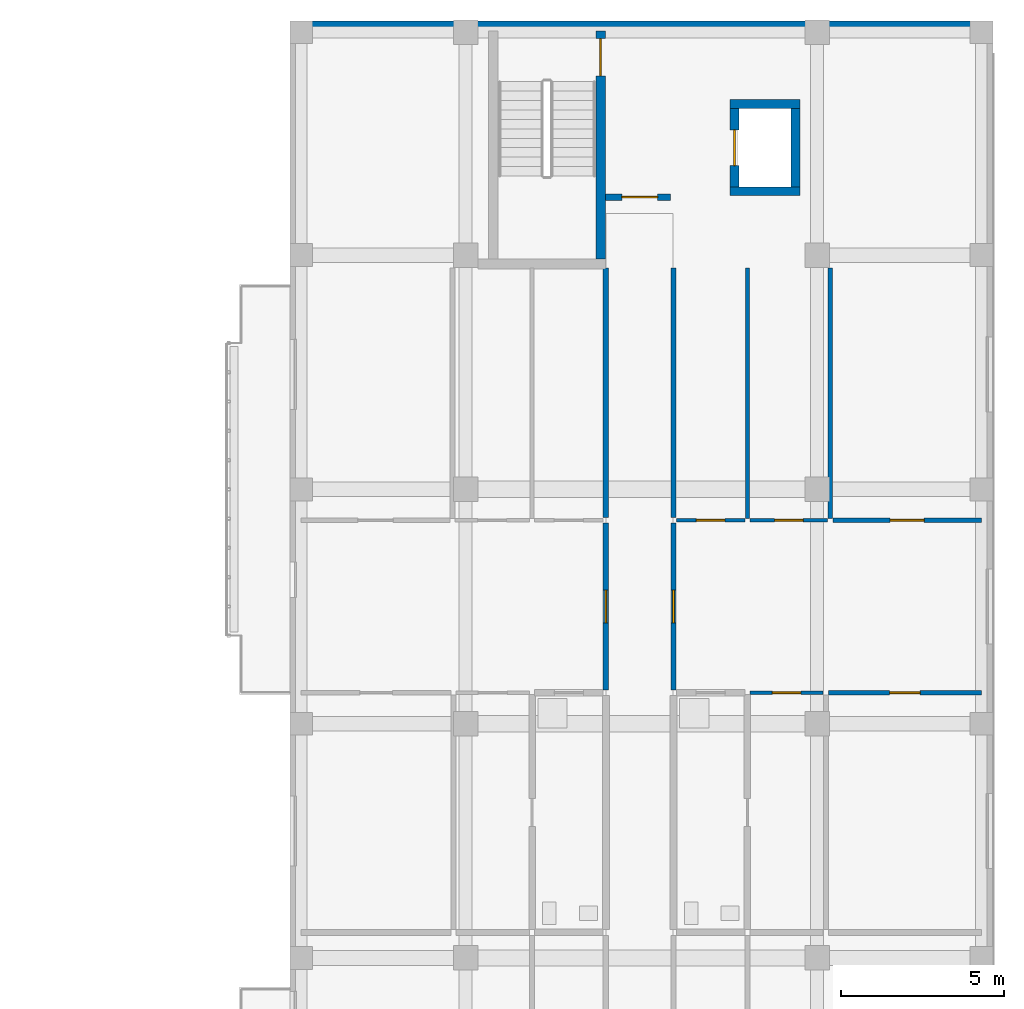
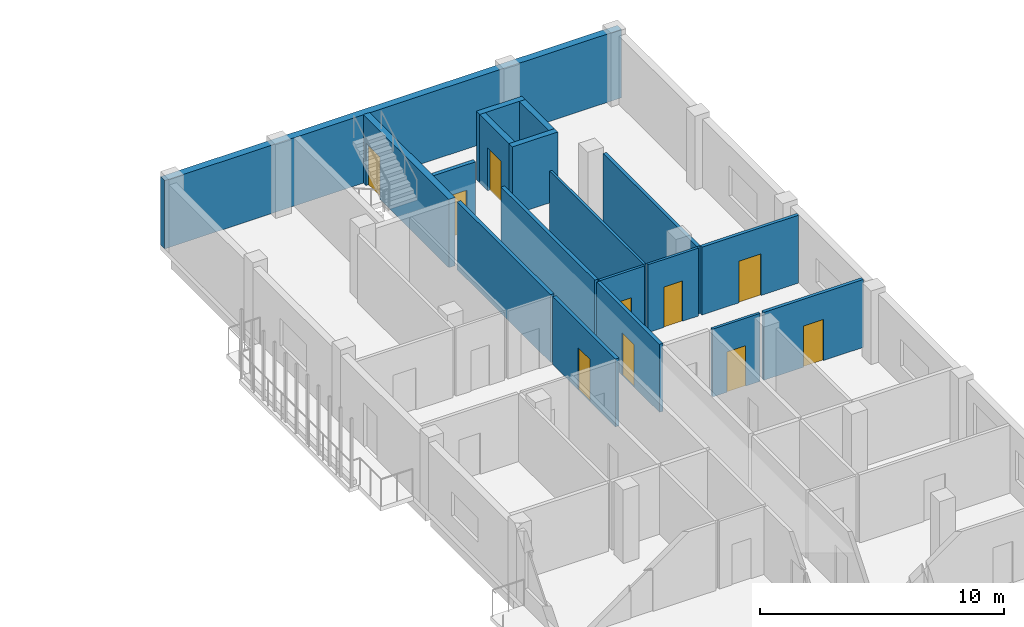
# One storey, part 52 of 73: 18 walls, 10 doors, 10 openings.
"""IFC4 building model written with IfcOpenShell, lengths in metres."""

import ifcopenshell
import ifcopenshell.guid

model = None  # the IFC model being written
_history = None  # IfcOwnerHistory: only IFC2X3 demands one
_inside = {}  # id of a spatial element -> (the spatial element, [elements in it])
_under = {}  # id of a project, library or spatial element -> (it, [spatial elements below it])
_declared = {}  # id of a project -> (the project, [libraries it declares])
_typed = {}  # id of a type object -> (the type object, [elements of that type])
_made_of = {}  # id of a material, layer set ... -> (it, [elements and type objects made of it])


def new_model(schema):
    """Start an empty IFC model of exactly this schema.

    Asked for "IFC4X3", IfcOpenShell would pick the latest addendum, in which some entities
    have other attributes; the version numbers below select the first issue.
    IFC2X3 requires an IfcOwnerHistory on every rooted entity: one is made here for all.
    """
    global model, _history
    if schema == "IFC4X3":
        model = ifcopenshell.file(schema_version=(4, 3, 0, 0))
    else:
        model = ifcopenshell.file(schema=schema)
    _inside.clear()
    _under.clear()
    _declared.clear()
    _typed.clear()
    _made_of.clear()
    _history = None
    if model.schema == "IFC2X3":
        org = make("IfcOrganization", Name="unknown")
        user = make(
            "IfcPersonAndOrganization",
            ThePerson=make("IfcPerson", FamilyName="unknown"),
            TheOrganization=org,
        )
        app = make(
            "IfcApplication",
            ApplicationDeveloper=org,
            Version="unknown",
            ApplicationFullName="unknown",
            ApplicationIdentifier="unknown",
        )
        _history = make(
            "IfcOwnerHistory",
            OwningUser=user,
            OwningApplication=app,
            ChangeAction="ADDED",
            CreationDate=0,
        )
    return model


def make(cls, **values):
    """One entity of the class cls with the attributes given. An attribute that is None is left unset."""
    return model.create_entity(
        cls, **{name: value for name, value in values.items() if value is not None}
    )


def rooted(cls, **values):
    """An entity with a GlobalId (a new one), such as an element, a storey or a relation."""
    return make(cls, GlobalId=ifcopenshell.guid.new(), OwnerHistory=_history, **values)


def si_unit(unit_type, name, prefix=None):
    """IfcSIUnit, for example si_unit("LENGTHUNIT", "METRE", prefix="MILLI")."""
    return make("IfcSIUnit", UnitType=unit_type, Prefix=prefix, Name=name)


def derived_unit(unit_type, elements):
    """IfcDerivedUnit: a product of units, each with its exponent."""
    return make(
        "IfcDerivedUnit",
        Elements=[
            make("IfcDerivedUnitElement", Unit=unit, Exponent=power)
            for unit, power in elements
        ],
        UnitType=unit_type,
    )


def assignment(units):
    """IfcUnitAssignment: the units of a project."""
    return None if units is None else make("IfcUnitAssignment", Units=units)


def point(xyz):
    """IfcCartesianPoint."""
    return None if xyz is None else make("IfcCartesianPoint", Coordinates=xyz)


def direction(xyz):
    """IfcDirection."""
    return None if xyz is None else make("IfcDirection", DirectionRatios=xyz)


def frame(location, z_axis=None, x_axis=None):
    """IfcAxis2Placement3D, a coordinate frame: its origin and axes. An axis left out is left unset."""
    return make(
        "IfcAxis2Placement3D",
        Location=point(location),
        Axis=direction(z_axis),
        RefDirection=direction(x_axis),
    )


def frame_2d(location, x_axis=None):
    """IfcAxis2Placement2D, a coordinate frame in the plane: its origin and x axis."""
    return make(
        "IfcAxis2Placement2D", Location=point(location), RefDirection=direction(x_axis)
    )


def origin():
    """The frame at (0, 0, 0) with its axes left unset."""
    return frame((0.0, 0.0, 0.0))


def place(relative_to, where):
    """IfcLocalPlacement: puts the frame where relative to a parent placement (None: the world)."""
    return make(
        "IfcLocalPlacement", PlacementRelTo=relative_to, RelativePlacement=where
    )


def context(
    kind, dimensions, precision=None, world=None, true_north=None, identifier=None
):
    """IfcGeometricRepresentationContext, for example the 3D "Model" context."""
    return make(
        "IfcGeometricRepresentationContext",
        ContextIdentifier=identifier,
        ContextType=kind,
        CoordinateSpaceDimension=dimensions,
        Precision=precision,
        WorldCoordinateSystem=world,
        TrueNorth=true_north,
    )


def subcontext(parent, identifier, kind, view, scale=None):
    """IfcGeometricRepresentationSubContext, for example "Body" below "Model"."""
    return make(
        "IfcGeometricRepresentationSubContext",
        ContextIdentifier=identifier,
        ContextType=kind,
        ParentContext=parent,
        TargetScale=scale,
        TargetView=view,
    )


def project(units=None, contexts=None):
    """IfcProject with its units and contexts."""
    return rooted(
        "IfcProject",
        Name="project",
        RepresentationContexts=contexts,
        UnitsInContext=assignment(units),
    )


def spatial(cls, under=None, at=None, **own):
    """A site, building, storey or space (cls), placed at a placement, below another one or the project."""
    s = rooted(cls, ObjectPlacement=at, **own)
    if under is not None:
        _under.setdefault(under.id(), (under, []))[1].append(s)
    return s


def profile(cls, at=None, kind="AREA", **sizes):
    """A parametric profile (cls). Its sizes go by their IFC names, for example OverallWidth=200.0."""
    return make(cls, ProfileType=kind, Position=at, **sizes)


def rectangle(**sizes):
    """IfcRectangleProfileDef."""
    return profile("IfcRectangleProfileDef", **sizes)


def extrude(swept, where, along, depth):
    """IfcExtrudedAreaSolid: the profile swept, set in the frame where, extruded along a direction by depth."""
    return make(
        "IfcExtrudedAreaSolid",
        SweptArea=swept,
        Position=where,
        ExtrudedDirection=direction(along),
        Depth=depth,
    )


def shape(context_of_items, identifier, shape_type, items):
    """IfcShapeRepresentation: the items that make up one representation, for example the "Body"."""
    return make(
        "IfcShapeRepresentation",
        ContextOfItems=context_of_items,
        RepresentationIdentifier=identifier,
        RepresentationType=shape_type,
        Items=items,
    )


def material(Name=None, Category=None):
    """IfcMaterial."""
    return make("IfcMaterial", Name=Name, Category=Category)


def layer(
    of_material, thickness, ventilated=None, Name=None, Category=None, Priority=None
):
    """IfcMaterialLayer: one layer of a wall or slab, of a material (None: an air gap)."""
    return make(
        "IfcMaterialLayer",
        Material=of_material,
        LayerThickness=thickness,
        IsVentilated=ventilated,
        Name=Name,
        Category=Category,
        Priority=Priority,
    )


def layer_set(layers, Name=None):
    """IfcMaterialLayerSet."""
    return make("IfcMaterialLayerSet", MaterialLayers=layers, LayerSetName=Name)


def made_of(thing, what):
    """Note that an element or type object is made of a material, layer set ...; save() writes the relation."""
    if what is not None:
        _made_of.setdefault(what.id(), (what, []))[1].append(thing)
    return thing


def type_object(cls, material=None, **own):
    """A type object (cls), such as IfcWallType, which elements share."""
    return made_of(rooted(cls, **own), material)


def element(
    cls,
    number,
    at=None,
    inside=None,
    cuts=None,
    type_object=None,
    material=None,
    context=None,
    identifier="Body",
    shape_type=None,
    held_by="IfcProductDefinitionShape",
    body=None,
    shapes=None,
    **own,
):
    """One element of the class cls, such as IfcWall. Its Tag is "e" and its number.

    at: its placement. inside: the storey or other place that contains it. cuts: it is an
    opening in that element (IfcRelVoidsElement). A single representation is given by context,
    identifier, shape_type and body (its items); several are given by shapes. held_by: the class
    of the entity that holds the representations. save() writes the other relations.
    """
    e = rooted(cls, Tag="e%d" % number, ObjectPlacement=at, **own)
    if body is not None:
        shapes = [shape(context, identifier, shape_type, body)]
    if shapes is not None:
        e.Representation = make(held_by, Representations=shapes)
    if inside is not None:
        _inside.setdefault(inside.id(), (inside, []))[1].append(e)
    if cuts is not None:
        rooted(
            "IfcRelVoidsElement", RelatingBuildingElement=cuts, RelatedOpeningElement=e
        )
    if type_object is not None:
        _typed.setdefault(type_object.id(), (type_object, []))[1].append(e)
    return made_of(e, material)


def fill(opening, filler):
    """IfcRelFillsElement: the door or window that sits in an opening."""
    return rooted(
        "IfcRelFillsElement",
        RelatingOpeningElement=opening,
        RelatedBuildingElement=filler,
    )


def aggregate(whole, parts):
    """IfcRelAggregates: a whole, such as a stair, and the parts it consists of."""
    return rooted("IfcRelAggregates", RelatingObject=whole, RelatedObjects=parts)


def save(model, path):
    """Write the relations noted so far, then the file.

    IfcRelAggregates (storeys below a building ...), IfcRelContainedInSpatialStructure (elements
    in a storey), IfcRelDefinesByType, IfcRelAssociatesMaterial and IfcRelDeclares: one each for
    every whole, place, type object, material and project.
    """
    for whole, parts in _under.values():
        aggregate(whole, parts)
    for where, things in _inside.values():
        rooted(
            "IfcRelContainedInSpatialStructure",
            RelatedElements=things,
            RelatingStructure=where,
        )
    for kind, things in _typed.values():
        rooted("IfcRelDefinesByType", RelatedObjects=things, RelatingType=kind)
    for what, things in _made_of.values():
        rooted("IfcRelAssociatesMaterial", RelatedObjects=things, RelatingMaterial=what)
    for by, libraries in _declared.values():
        rooted("IfcRelDeclares", RelatingContext=by, RelatedDefinitions=libraries)
    model.write(path)


model = new_model("IFC4")

# Units and contexts
model_context = context("Model", 3, precision=1e-05, world=origin(), true_north=direction((0.0, 1.0)))
body_context = subcontext(model_context, "Body", "Model", "MODEL_VIEW")
ifc_project = project(units=[si_unit("LENGTHUNIT", "METRE"), si_unit("AREAUNIT", "SQUARE_METRE"), si_unit("VOLUMEUNIT", "CUBIC_METRE"), si_unit("PLANEANGLEUNIT", "RADIAN"), si_unit("MASSUNIT", "GRAM", prefix="KILO"), derived_unit("THERMALTRANSMITTANCEUNIT", [(si_unit("MASSUNIT", "GRAM", prefix="KILO"), 1), (si_unit("TIMEUNIT", "SECOND"), -3), (si_unit("THERMODYNAMICTEMPERATUREUNIT", "KELVIN"), -1)])], contexts=[model_context])

# Site, building, storey
site_placement = place(None, origin())
site = spatial("IfcSite", under=ifc_project, at=site_placement, CompositionType="ELEMENT")
building_placement = place(site_placement, origin())
building = spatial("IfcBuilding", under=site, at=building_placement, Name="Ochrekiln Boulevard Commons", CompositionType="ELEMENT")
storey_placement = place(building_placement, frame((0.0, 0.0, 4.89990234375)))
storey = spatial("IfcBuildingStorey", under=building, at=storey_placement, Name="L01", CompositionType="ELEMENT", Elevation=4.89990234375)

# Wall
ifc_material_1 = material(Name="Iron-spot brown clinker brick masonry ASTM C216 Grade SW", Category="masonry")
ifc_layer_1 = layer(ifc_material_1, 0.340087890625)
ifc_layer_set_1 = layer_set([ifc_layer_1], Name="Iron-spot brown clinker brick masonry ASTM C216 Grade SW")
wall_type_1 = type_object("IfcWallType", Name="WL-EXT-IRON-340", PredefinedType="SOLIDWALL", material=ifc_layer_set_1)
wall_1_placement = place(storey_placement, frame((151.199951171875, 118.6298828125, 0.0), z_axis=(0.0, 0.0, 1.0), x_axis=(1.0, 0.0, 0.0)))
element("IfcWall", 1, at=wall_1_placement, inside=storey, type_object=wall_type_1, Name="Block B L01 N Exterior Wall", PredefinedType="SOLIDWALL", context=body_context, shape_type="SweptSolid", body=[
    extrude(rectangle(XDim=21.60009765625, YDim=0.340087890625, at=frame_2d((10.800048828125, 0.0))), origin(), (0.0, 0.0, 1.0), 3.4150390625),
])

# Wall, opening, door
ifc_material_2 = material(Name="Fire-rated Type X gypsum board on steel studs", Category="steel")
ifc_layer_2 = layer(ifc_material_2, 0.1650390625)
ifc_layer_set_2 = layer_set([ifc_layer_2], Name="Fire-rated Type X gypsum board on steel studs")
wall_type_2 = type_object("IfcWallType", Name="WL-PT-CORR-165", PredefinedType="PARTITIONING", material=ifc_layer_set_2)
wall_2_placement = place(storey_placement, frame((160.909912109375, 98.22998046875, 0.0), z_axis=(0.0, 0.0, 1.0), x_axis=(0.0, 1.0, 0.0)))
wall_2 = element("IfcWall", 2, at=wall_2_placement, inside=storey, type_object=wall_type_2, Name="L01 Interior Wall W-PC165", PredefinedType="PARTITIONING", context=body_context, shape_type="SweptSolid", body=[
    extrude(rectangle(XDim=5.14013671875, YDim=0.1650390625, at=frame_2d((2.570068359375, 0.0))), origin(), (0.0, 0.0, 1.0), 3.39501953125),
])
opening_1_placement = place(wall_2_placement, frame((2.06494140625, 0.0, 0.0)))
opening_1 = element("IfcOpeningElement", 3, at=opening_1_placement, cuts=wall_2, Name="Opening D-L01-181", PredefinedType="OPENING", context=body_context, shape_type="SweptSolid", body=[
    extrude(rectangle(XDim=1.010009765625, YDim=2.110107421875, at=frame_2d((0.5048828125, 1.05517578125))), frame((0.0, 0.092529296875, 0.0), z_axis=(0.0, -1.0, 0.0), x_axis=(1.0, 0.0, 0.0)), (0.0, 0.0, 1.0), 0.18505859375),
])
ifc_material_3 = material(Name="Solid core architectural oak door leaf")
door_type_1 = type_object("IfcDoorType", Name="DR-INT-APT-101", OperationType="NOTDEFINED", PredefinedType="DOOR", material=ifc_material_3)
door_1_placement = place(opening_1_placement, origin())
door_1 = element("IfcDoor", 4, at=door_1_placement, inside=storey, type_object=door_type_1, Name="L01 Interior Door to Two-Bedroom Apartment Living Room", OperationType="SINGLE_SWING_LEFT", OverallHeight=2.110107421875, OverallWidth=1.010009765625, PredefinedType="DOOR", context=body_context, shape_type="SweptSolid", body=[
    extrude(rectangle(XDim=1.010009765625, YDim=2.110107421875, at=frame_2d((0.5048828125, 1.05517578125))), frame((0.0, 0.02490234375, 0.0), z_axis=(0.0, -1.0, 0.0), x_axis=(1.0, 0.0, 0.0)), (0.0, 0.0, 1.0), 0.050048828125),
])
fill(opening_1, door_1)

# Wall
wall_3_placement = place(storey_placement, frame((160.909912109375, 103.530029296875, 0.0), z_axis=(0.0, 0.0, 1.0), x_axis=(0.0, 1.0, 0.0)))
element("IfcWall", 5, at=wall_3_placement, inside=storey, type_object=wall_type_2, Name="L01 Interior Wall W-PC165", PredefinedType="PARTITIONING", context=body_context, shape_type="SweptSolid", body=[
    extrude(rectangle(XDim=7.669921875, YDim=0.1650390625, at=frame_2d((3.8349609375, 0.0))), origin(), (0.0, 0.0, 1.0), 3.39501953125),
])

# Wall, opening, door
wall_4_placement = place(storey_placement, frame((162.989990234375, 98.22998046875, 0.0), z_axis=(0.0, 0.0, 1.0), x_axis=(0.0, 1.0, 0.0)))
wall_4 = element("IfcWall", 6, at=wall_4_placement, inside=storey, type_object=wall_type_2, Name="L01 Interior Wall W-PC165", PredefinedType="PARTITIONING", context=body_context, shape_type="SweptSolid", body=[
    extrude(rectangle(XDim=5.14013671875, YDim=0.1650390625, at=frame_2d((2.570068359375, 0.0))), origin(), (0.0, 0.0, 1.0), 3.39501953125),
])
opening_2_placement = place(wall_4_placement, frame((2.06494140625, 0.0, 0.0)))
opening_2 = element("IfcOpeningElement", 7, at=opening_2_placement, cuts=wall_4, Name="Opening D-L01-183", PredefinedType="OPENING", context=body_context, shape_type="SweptSolid", body=[
    extrude(rectangle(XDim=1.010009765625, YDim=2.110107421875, at=frame_2d((0.5048828125, 1.05517578125))), frame((0.0, 0.092529296875, 0.0), z_axis=(0.0, -1.0, 0.0), x_axis=(1.0, 0.0, 0.0)), (0.0, 0.0, 1.0), 0.18505859375),
])
door_2_placement = place(opening_2_placement, frame((1.010009765625, 0.0, 0.0), z_axis=(0.0, 0.0, 1.0), x_axis=(-1.0, 0.0, 0.0)))
door_2 = element("IfcDoor", 8, at=door_2_placement, inside=storey, type_object=door_type_1, Name="L01 Interior Door to Two-Bedroom Apartment Living Room", OperationType="SINGLE_SWING_LEFT", OverallHeight=2.110107421875, OverallWidth=1.010009765625, PredefinedType="DOOR", context=body_context, shape_type="SweptSolid", body=[
    extrude(rectangle(XDim=1.010009765625, YDim=2.110107421875, at=frame_2d((0.5048828125, 1.05517578125))), frame((0.0, 0.02490234375, 0.0), z_axis=(0.0, -1.0, 0.0), x_axis=(1.0, 0.0, 0.0)), (0.0, 0.0, 1.0), 0.050048828125),
])
fill(opening_2, door_2)

# Wall
wall_5_placement = place(storey_placement, frame((162.989990234375, 103.530029296875, 0.0), z_axis=(0.0, 0.0, 1.0), x_axis=(0.0, 1.0, 0.0)))
element("IfcWall", 9, at=wall_5_placement, inside=storey, type_object=wall_type_2, Name="L01 Interior Wall W-PC165", PredefinedType="PARTITIONING", context=body_context, shape_type="SweptSolid", body=[
    extrude(rectangle(XDim=7.669921875, YDim=0.1650390625, at=frame_2d((3.8349609375, 0.0))), origin(), (0.0, 0.0, 1.0), 3.39501953125),
])

# Wall, opening, door
ifc_layer_3 = layer(ifc_material_2, 0.18994140625)
ifc_layer_set_3 = layer_set([ifc_layer_3], Name="Fire-rated Type X gypsum board on steel studs")
wall_type_3 = type_object("IfcWallType", Name="WL-PT-LBY-190", PredefinedType="PARTITIONING", material=ifc_layer_set_3)
wall_6_placement = place(storey_placement, frame((160.89990234375, 113.3798828125, 0.0), z_axis=(0.0, 0.0, 1.0), x_axis=(1.0, 0.0, 0.0)))
wall_6 = element("IfcWall", 10, at=wall_6_placement, inside=storey, type_object=wall_type_3, Name="L01 Interior Wall W-PL190", PredefinedType="PARTITIONING", context=body_context, shape_type="SweptSolid", body=[
    extrude(rectangle(XDim=2.0, YDim=0.18994140625, at=frame_2d((1.0, 0.0))), origin(), (0.0, 0.0, 1.0), 3.39501953125),
])
opening_3_placement = place(wall_6_placement, frame((0.5, 0.0, 0.0)))
opening_3 = element("IfcOpeningElement", 11, at=opening_3_placement, cuts=wall_6, Name="Opening D-L01-178", PredefinedType="OPENING", context=body_context, shape_type="SweptSolid", body=[
    extrude(rectangle(XDim=1.10009765625, YDim=2.1201171875, at=frame_2d((0.550048828125, 1.06005859375))), frame((0.0, 0.10498046875, 0.0), z_axis=(0.0, -1.0, 0.0), x_axis=(1.0, 0.0, 0.0)), (0.0, 0.0, 1.0), 0.2099609375),
])
ifc_material_4 = material(Name="Hollow metal fire-rated steel door assembly", Category="steel")
door_type_2 = type_object("IfcDoorType", Name="DR-LOBBY-60", OperationType="NOTDEFINED", PredefinedType="DOOR", material=ifc_material_4)
door_3_placement = place(opening_3_placement, origin())
door_3 = element("IfcDoor", 12, at=door_3_placement, inside=storey, type_object=door_type_2, Name="L01 Interior Door to Fire Service Access Elevator Lobby", OperationType="SINGLE_SWING_RIGHT", OverallHeight=2.1201171875, OverallWidth=1.10009765625, PredefinedType="DOOR", context=body_context, shape_type="SweptSolid", body=[
    extrude(rectangle(XDim=1.10009765625, YDim=2.1201171875, at=frame_2d((0.550048828125, 1.06005859375))), frame((0.0, 0.02490234375, 0.0), z_axis=(0.0, -1.0, 0.0), x_axis=(1.0, 0.0, 0.0)), (0.0, 0.0, 1.0), 0.050048828125),
])
fill(opening_3, door_3)

ifc_layer_4 = layer(ifc_material_2, 0.1201171875)
ifc_layer_set_4 = layer_set([ifc_layer_4], Name="Fire-rated Type X gypsum board on steel studs")
wall_type_4 = type_object("IfcWallType", Name="WL-PT-LGT-120", PredefinedType="PARTITIONING", material=ifc_layer_set_4)
wall_7_placement = place(storey_placement, frame((163.072998046875, 103.449951171875, 0.0), z_axis=(0.0, 0.0, 1.0), x_axis=(1.0, 0.0, 0.0)))
wall_7 = element("IfcWall", 13, at=wall_7_placement, inside=storey, type_object=wall_type_4, Name="L01 Interior Wall W-PL120", PredefinedType="PARTITIONING", context=body_context, shape_type="SweptSolid", body=[
    extrude(rectangle(XDim=2.10693359375, YDim=0.1201171875, at=frame_2d((1.053466796875, 0.0))), origin(), (0.0, 0.0, 1.0), 3.39501953125),
])
opening_4_placement = place(wall_7_placement, frame((0.616943359375, 0.0, 0.0)))
opening_4 = element("IfcOpeningElement", 14, at=opening_4_placement, cuts=wall_7, Name="Opening D-L01-200", PredefinedType="OPENING", context=body_context, shape_type="SweptSolid", body=[
    extrude(rectangle(XDim=0.8798828125, YDim=2.02001953125, at=frame_2d((0.43994140625, 1.010009765625))), frame((0.0, 0.070068359375, 0.0), z_axis=(0.0, -1.0, 0.0), x_axis=(1.0, 0.0, 0.0)), (0.0, 0.0, 1.0), 0.14013671875),
])
door_type_3 = type_object("IfcDoorType", Name="DR-INT-KIT-088", OperationType="NOTDEFINED", PredefinedType="DOOR", material=ifc_material_3)
door_4_placement = place(opening_4_placement, origin())
door_4 = element("IfcDoor", 15, at=door_4_placement, inside=storey, type_object=door_type_3, Name="L01 Interior Door to Apartment Kitchen", OperationType="SINGLE_SWING_RIGHT", OverallHeight=2.02001953125, OverallWidth=0.8798828125, PredefinedType="DOOR", context=body_context, shape_type="SweptSolid", body=[
    extrude(rectangle(XDim=0.8798828125, YDim=2.02001953125, at=frame_2d((0.43994140625, 1.010009765625))), frame((0.0, 0.02490234375, 0.0), z_axis=(0.0, -1.0, 0.0), x_axis=(1.0, 0.0, 0.0)), (0.0, 0.0, 1.0), 0.050048828125),
])
fill(opening_4, door_4)

wall_8_placement = place(storey_placement, frame((165.340087890625, 98.14990234375, 0.0), z_axis=(0.0, 0.0, 1.0), x_axis=(1.0, 0.0, 0.0)))
wall_8 = element("IfcWall", 16, at=wall_8_placement, inside=storey, type_object=wall_type_4, Name="L01 Interior Wall W-PL120", PredefinedType="PARTITIONING", context=body_context, shape_type="SweptSolid", body=[
    extrude(rectangle(XDim=2.25, YDim=0.1201171875, at=frame_2d((1.125, 0.0))), origin(), (0.0, 0.0, 1.0), 3.39501953125),
])
opening_5_placement = place(wall_8_placement, frame((0.68505859375, 0.0, 0.0)))
opening_5 = element("IfcOpeningElement", 17, at=opening_5_placement, cuts=wall_8, Name="Opening D-L01-202", PredefinedType="OPENING", context=body_context, shape_type="SweptSolid", body=[
    extrude(rectangle(XDim=0.8798828125, YDim=2.02001953125, at=frame_2d((0.43994140625, 1.010009765625))), frame((0.0, 0.070068359375, 0.0), z_axis=(0.0, -1.0, 0.0), x_axis=(1.0, 0.0, 0.0)), (0.0, 0.0, 1.0), 0.14013671875),
])
door_5_placement = place(opening_5_placement, frame((0.8798828125, 0.0, 0.0), z_axis=(0.0, 0.0, 1.0), x_axis=(-1.0, 0.0, 0.0)))
door_5 = element("IfcDoor", 18, at=door_5_placement, inside=storey, type_object=door_type_3, Name="L01 Interior Door to Apartment Walk-In Wardrobe", OperationType="SINGLE_SWING_RIGHT", OverallHeight=2.02001953125, OverallWidth=0.8798828125, PredefinedType="DOOR", context=body_context, shape_type="SweptSolid", body=[
    extrude(rectangle(XDim=0.8798828125, YDim=2.02001953125, at=frame_2d((0.43994140625, 1.010009765625))), frame((0.0, 0.02490234375, 0.0), z_axis=(0.0, -1.0, 0.0), x_axis=(1.0, 0.0, 0.0)), (0.0, 0.0, 1.0), 0.050048828125),
])
fill(opening_5, door_5)

wall_9_placement = place(storey_placement, frame((165.340087890625, 103.449951171875, 0.0), z_axis=(0.0, 0.0, 1.0), x_axis=(1.0, 0.0, 0.0)))
wall_9 = element("IfcWall", 19, at=wall_9_placement, inside=storey, type_object=wall_type_4, Name="L01 Interior Wall W-PL120", PredefinedType="PARTITIONING", context=body_context, shape_type="SweptSolid", body=[
    extrude(rectangle(XDim=2.386962890625, YDim=0.1201171875, at=frame_2d((1.193359375, 0.0))), origin(), (0.0, 0.0, 1.0), 3.39501953125),
])
opening_6_placement = place(wall_9_placement, frame((0.75390625, 0.0, 0.0)))
opening_6 = element("IfcOpeningElement", 20, at=opening_6_placement, cuts=wall_9, Name="Opening D-L01-204", PredefinedType="OPENING", context=body_context, shape_type="SweptSolid", body=[
    extrude(rectangle(XDim=0.8798828125, YDim=2.02001953125, at=frame_2d((0.43994140625, 1.010009765625))), frame((0.0, 0.070068359375, 0.0), z_axis=(0.0, -1.0, 0.0), x_axis=(1.0, 0.0, 0.0)), (0.0, 0.0, 1.0), 0.14013671875),
])
door_6_placement = place(opening_6_placement, origin())
door_6 = element("IfcDoor", 21, at=door_6_placement, inside=storey, type_object=door_type_3, Name="L01 Interior Door to Apartment Walk-In Wardrobe", OperationType="SINGLE_SWING_RIGHT", OverallHeight=2.02001953125, OverallWidth=0.8798828125, PredefinedType="DOOR", context=body_context, shape_type="SweptSolid", body=[
    extrude(rectangle(XDim=0.8798828125, YDim=2.02001953125, at=frame_2d((0.43994140625, 1.010009765625))), frame((0.0, 0.02490234375, 0.0), z_axis=(0.0, -1.0, 0.0), x_axis=(1.0, 0.0, 0.0)), (0.0, 0.0, 1.0), 0.050048828125),
])
fill(opening_6, door_6)

# Wall
wall_10_placement = place(storey_placement, frame((165.260009765625, 103.510009765625, 0.0), z_axis=(0.0, 0.0, 1.0), x_axis=(0.0, 1.0, 0.0)))
element("IfcWall", 22, at=wall_10_placement, inside=storey, type_object=wall_type_4, Name="L01 Interior Wall W-PL120", PredefinedType="PARTITIONING", context=body_context, shape_type="SweptSolid", body=[
    extrude(rectangle(XDim=7.68994140625, YDim=0.1201171875, at=frame_2d((3.844970703125, 0.0))), origin(), (0.0, 0.0, 1.0), 3.39501953125),
])

# Wall, opening, door
ifc_layer_5 = layer(ifc_material_2, 0.14990234375)
ifc_layer_set_5 = layer_set([ifc_layer_5], Name="Fire-rated Type X gypsum board on steel studs")
wall_type_5 = type_object("IfcWallType", Name="WL-PT-STD-150", PredefinedType="PARTITIONING", material=ifc_layer_set_5)
wall_11_placement = place(storey_placement, frame((167.75, 98.14990234375, 0.0), z_axis=(0.0, 0.0, 1.0), x_axis=(1.0, 0.0, 0.0)))
wall_11 = element("IfcWall", 23, at=wall_11_placement, inside=storey, type_object=wall_type_5, Name="L01 Interior Wall W-PS150", PredefinedType="PARTITIONING", context=body_context, shape_type="SweptSolid", body=[
    extrude(rectangle(XDim=4.7099609375, YDim=0.14990234375, at=frame_2d((2.35498046875, 0.0))), origin(), (0.0, 0.0, 1.0), 3.39501953125),
])
opening_7_placement = place(wall_11_placement, frame((1.8798828125, 0.0, 0.0)))
opening_7 = element("IfcOpeningElement", 24, at=opening_7_placement, cuts=wall_11, Name="Opening D-L01-201", PredefinedType="OPENING", context=body_context, shape_type="SweptSolid", body=[
    extrude(rectangle(XDim=0.93994140625, YDim=2.06005859375, at=frame_2d((0.469970703125, 1.030029296875))), frame((0.0, 0.0849609375, 0.0), z_axis=(0.0, -1.0, 0.0), x_axis=(1.0, 0.0, 0.0)), (0.0, 0.0, 1.0), 0.169921875),
])
door_type_4 = type_object("IfcDoorType", Name="DR-INT-BED-094", OperationType="NOTDEFINED", PredefinedType="DOOR", material=ifc_material_3)
door_7_placement = place(opening_7_placement, frame((0.93994140625, 0.0, 0.0), z_axis=(0.0, 0.0, 1.0), x_axis=(-1.0, 0.0, 0.0)))
door_7 = element("IfcDoor", 25, at=door_7_placement, inside=storey, type_object=door_type_4, Name="L01 Interior Door to Primary Apartment Bedroom", OperationType="SINGLE_SWING_LEFT", OverallHeight=2.06005859375, OverallWidth=0.93994140625, PredefinedType="DOOR", context=body_context, shape_type="SweptSolid", body=[
    extrude(rectangle(XDim=0.93994140625, YDim=2.06005859375, at=frame_2d((0.469970703125, 1.030029296875))), frame((0.0, 0.02490234375, 0.0), z_axis=(0.0, -1.0, 0.0), x_axis=(1.0, 0.0, 0.0)), (0.0, 0.0, 1.0), 0.050048828125),
])
fill(opening_7, door_7)

wall_12_placement = place(storey_placement, frame((167.886962890625, 103.449951171875, 0.0), z_axis=(0.0, 0.0, 1.0), x_axis=(1.0, 0.0, 0.0)))
wall_12 = element("IfcWall", 26, at=wall_12_placement, inside=storey, type_object=wall_type_5, Name="L01 Interior Wall W-PS150", PredefinedType="PARTITIONING", context=body_context, shape_type="SweptSolid", body=[
    extrude(rectangle(XDim=4.572998046875, YDim=0.14990234375, at=frame_2d((2.28662109375, 0.0))), origin(), (0.0, 0.0, 1.0), 3.39501953125),
])
opening_8_placement = place(wall_12_placement, frame((1.760986328125, 0.0, 0.0)))
opening_8 = element("IfcOpeningElement", 27, at=opening_8_placement, cuts=wall_12, Name="Opening D-L01-203", PredefinedType="OPENING", context=body_context, shape_type="SweptSolid", body=[
    extrude(rectangle(XDim=1.0400390625, YDim=2.080078125, at=frame_2d((0.52001953125, 1.0400390625))), frame((0.0, 0.0849609375, 0.0), z_axis=(0.0, -1.0, 0.0), x_axis=(1.0, 0.0, 0.0)), (0.0, 0.0, 1.0), 0.169921875),
])
door_type_5 = type_object("IfcDoorType", Name="DR-INT-BED-104", OperationType="NOTDEFINED", PredefinedType="DOOR", material=ifc_material_3)
door_8_placement = place(opening_8_placement, origin())
door_8 = element("IfcDoor", 28, at=door_8_placement, inside=storey, type_object=door_type_5, Name="L01 Interior Door to Secondary Apartment Bedroom", OperationType="SINGLE_SWING_LEFT", OverallHeight=2.080078125, OverallWidth=1.0400390625, PredefinedType="DOOR", context=body_context, shape_type="SweptSolid", body=[
    extrude(rectangle(XDim=1.0400390625, YDim=2.080078125, at=frame_2d((0.52001953125, 1.0400390625))), frame((0.0, 0.02490234375, 0.0), z_axis=(0.0, -1.0, 0.0), x_axis=(1.0, 0.0, 0.0)), (0.0, 0.0, 1.0), 0.050048828125),
])
fill(opening_8, door_8)

# Walls
wall_13_placement = place(storey_placement, frame((167.806884765625, 103.510009765625, 0.0), z_axis=(0.0, 0.0, 1.0), x_axis=(0.0, 1.0, 0.0)))
element("IfcWall", 29, at=wall_13_placement, inside=storey, type_object=wall_type_5, Name="L01 Interior Wall W-PS150", PredefinedType="PARTITIONING", context=body_context, shape_type="SweptSolid", body=[
    extrude(rectangle(XDim=7.68994140625, YDim=0.14990234375, at=frame_2d((3.844970703125, 0.0))), origin(), (0.0, 0.0, 1.0), 3.39501953125),
])
ifc_material_5 = material(Name="Concrete C40/50", Category="concrete")
ifc_layer_6 = layer(ifc_material_5, 0.27490234375)
ifc_layer_set_6 = layer_set([ifc_layer_6], Name="Concrete C40/50")
wall_type_6 = type_object("IfcWallType", Name="WL-SH-275", PredefinedType="SHEAR", material=ifc_layer_set_6)
for number, where, z_axis, x_axis, name in (
    (30, (164.72509765625, 113.5625, 0.0), (0.0, 0.0, 1.0), (1.0, 0.0, 0.0), "Elevator FF-B2 L01 Hoistway Shear Wall"),
    (31, (164.72509765625, 116.237548828125, 0.0), (0.0, 0.0, 1.0), (1.0, 0.0, 0.0), "Elevator FF-B2 L01 Hoistway Shear Wall"),
):
    element("IfcWall", number, at=place(storey_placement, frame(where, z_axis=z_axis, x_axis=x_axis)), inside=storey, type_object=wall_type_6, Name=name, PredefinedType="SHEAR", context=body_context, shape_type="SweptSolid", body=[
        extrude(rectangle(XDim=2.14990234375, YDim=0.27490234375, at=frame_2d((1.074951171875, 0.0))), origin(), (0.0, 0.0, 1.0), 3.4150390625),
    ])

# Wall, opening, door
wall_14_placement = place(storey_placement, frame((164.862548828125, 113.699951171875, 0.0), z_axis=(0.0, 0.0, 1.0), x_axis=(0.0, 1.0, 0.0)))
wall_14 = element("IfcWall", 32, at=wall_14_placement, inside=storey, type_object=wall_type_6, Name="Elevator FF-B2 L01 Hoistway Shear Wall", PredefinedType="SHEAR", context=body_context, shape_type="SweptSolid", body=[
    extrude(rectangle(XDim=2.400146484375, YDim=0.27490234375, at=frame_2d((1.2001953125, 0.0))), origin(), (0.0, 0.0, 1.0), 3.4150390625),
])
opening_9_placement = place(wall_14_placement, frame((0.64990234375, 0.0, 0.0)))
opening_9 = element("IfcOpeningElement", 33, at=opening_9_placement, cuts=wall_14, Name="Opening LD-FF-B2-L01", PredefinedType="OPENING", context=body_context, shape_type="SweptSolid", body=[
    extrude(rectangle(XDim=1.10009765625, YDim=2.14990234375, at=frame_2d((0.550048828125, 1.074951171875))), frame((0.0, 0.1474609375, 0.0), z_axis=(0.0, -1.0, 0.0), x_axis=(1.0, 0.0, 0.0)), (0.0, 0.0, 1.0), 0.294921875),
])
ifc_material_6 = material(Name="Brushed stainless steel 316 elevator cab and doors", Category="steel")
door_type_6 = type_object("IfcDoorType", Name="DR-LIFT-LD90", OperationType="SLIDING_TO_LEFT", PredefinedType="DOOR", material=ifc_material_6)
door_9_placement = place(opening_9_placement, origin())
door_9 = element("IfcDoor", 34, at=door_9_placement, inside=storey, type_object=door_type_6, Name="Elevator FF-B2 L01 Sliding Landing Door LD-FF-B2-L01", OperationType="SLIDING_TO_LEFT", OverallHeight=2.14990234375, OverallWidth=1.10009765625, PredefinedType="DOOR", context=body_context, shape_type="SweptSolid", body=[
    extrude(rectangle(XDim=1.10009765625, YDim=2.14990234375, at=frame_2d((0.550048828125, 1.074951171875))), frame((0.0, 0.02490234375, 0.0), z_axis=(0.0, -1.0, 0.0), x_axis=(1.0, 0.0, 0.0)), (0.0, 0.0, 1.0), 0.050048828125),
])
fill(opening_9, door_9)

# Wall
wall_15_placement = place(storey_placement, frame((166.737548828125, 113.699951171875, 0.0), z_axis=(0.0, 0.0, 1.0), x_axis=(0.0, 1.0, 0.0)))
element("IfcWall", 35, at=wall_15_placement, inside=storey, type_object=wall_type_6, Name="Elevator FF-B2 L01 Hoistway Shear Wall", PredefinedType="SHEAR", context=body_context, shape_type="SweptSolid", body=[
    extrude(rectangle(XDim=2.400146484375, YDim=0.27490234375, at=frame_2d((1.2001953125, 0.0))), origin(), (0.0, 0.0, 1.0), 3.4150390625),
])

# Wall, opening, door
ifc_layer_7 = layer(ifc_material_5, 0.300048828125)
ifc_layer_set_7 = layer_set([ifc_layer_7], Name="Concrete C40/50")
wall_type_7 = type_object("IfcWallType", Name="WL-SH-300", PredefinedType="SHEAR", material=ifc_layer_set_7)
wall_16_placement = place(storey_placement, frame((160.75, 111.47998046875, 0.0), z_axis=(0.0, 0.0, 1.0), x_axis=(0.0, 1.0, 0.0)))
wall_16 = element("IfcWall", 36, at=wall_16_placement, inside=storey, type_object=wall_type_7, Name="Stair ST-B2 L01 Core Shear Wall E", PredefinedType="SHEAR", context=body_context, shape_type="SweptSolid", body=[
    extrude(rectangle(XDim=7.0, YDim=0.300048828125, at=frame_2d((3.5, 0.0))), origin(), (0.0, 0.0, 1.0), 3.4150390625),
])
opening_10_placement = place(wall_16_placement, frame((5.625, 0.0, 0.0)))
opening_10 = element("IfcOpeningElement", 37, at=opening_10_placement, cuts=wall_16, Name="Opening D-L01-ST-B2", PredefinedType="OPENING", context=body_context, shape_type="SweptSolid", body=[
    extrude(rectangle(XDim=1.14990234375, YDim=2.1201171875, at=frame_2d((0.574951171875, 1.06005859375))), frame((0.0, 0.159912109375, 0.0), z_axis=(0.0, -1.0, 0.0), x_axis=(1.0, 0.0, 0.0)), (0.0, 0.0, 1.0), 0.320068359375),
])
door_type_7 = type_object("IfcDoorType", Name="DR-STAIR-90", OperationType="NOTDEFINED", PredefinedType="DOOR", material=ifc_material_4)
door_10_placement = place(opening_10_placement, origin())
door_10 = element("IfcDoor", 38, at=door_10_placement, inside=storey, type_object=door_type_7, Name="Enclosed Exit Stair ST-B2 L01 Rated Door", OperationType="SINGLE_SWING_LEFT", OverallHeight=2.1201171875, OverallWidth=1.14990234375, PredefinedType="DOOR", context=body_context, shape_type="SweptSolid", body=[
    extrude(rectangle(XDim=1.14990234375, YDim=2.1201171875, at=frame_2d((0.574951171875, 1.06005859375))), frame((0.0, 0.02490234375, 0.0), z_axis=(0.0, -1.0, 0.0), x_axis=(1.0, 0.0, 0.0)), (0.0, 0.0, 1.0), 0.050048828125),
])
fill(opening_10, door_10)

save(model, "model.ifc")
